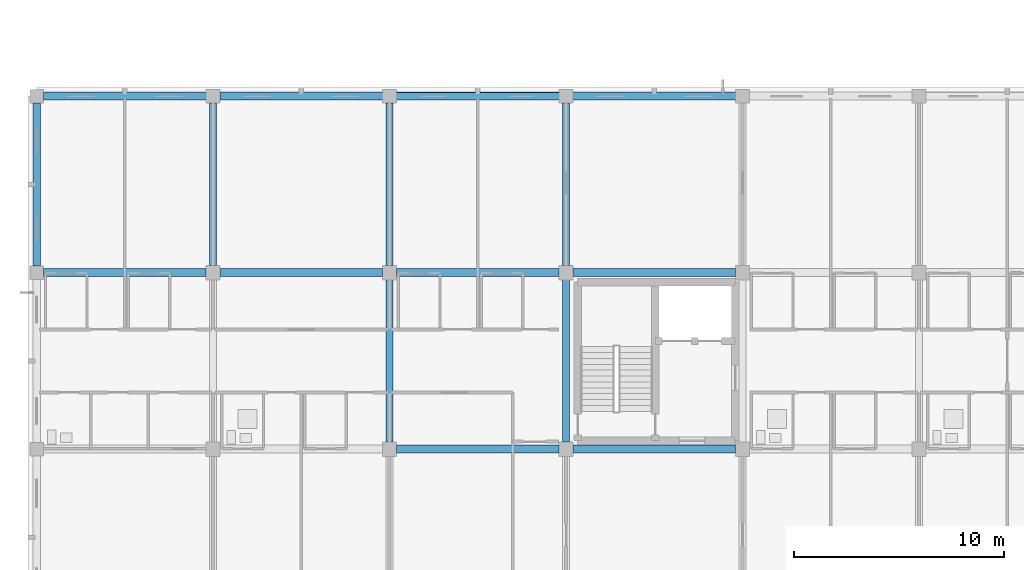
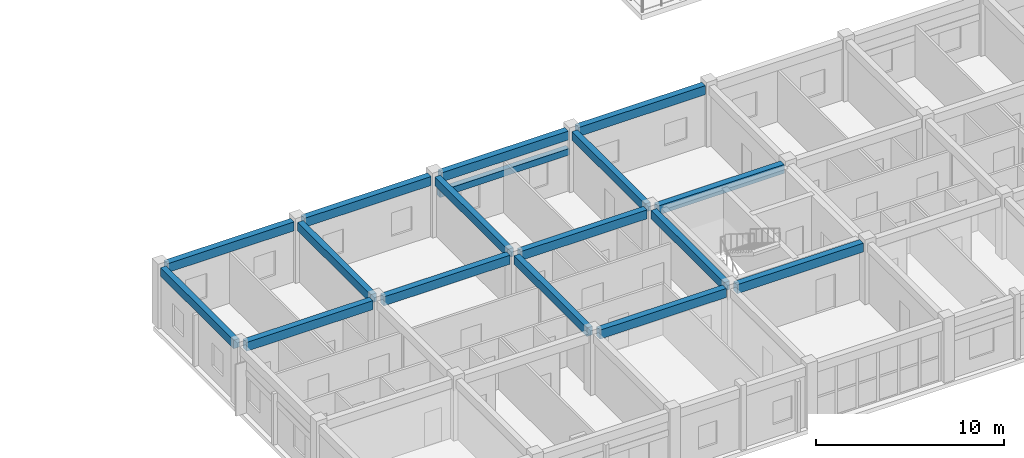
# One storey, part 11 of 90: 17 beams.
"""IFC4 building model written with IfcOpenShell, lengths in metres."""

from ifc_helpers import new_model, si_unit, direction, frame, origin, origin_2d, place, context, subcontext, project, spatial, rectangle, extrude, material, material_profile, profile_set, type_object, element, save


model = new_model("IFC4")

# Units and contexts
model_context = context("Model", 3, precision=1e-05, world=origin(), true_north=direction((0.0, 1.0)))
body_context = subcontext(model_context, "Body", "Model", "MODEL_VIEW")
ifc_project = project(units=[si_unit("LENGTHUNIT", "METRE"), si_unit("AREAUNIT", "SQUARE_METRE"), si_unit("VOLUMEUNIT", "CUBIC_METRE"), si_unit("PLANEANGLEUNIT", "RADIAN"), si_unit("MASSUNIT", "GRAM", prefix="KILO")], contexts=[model_context])

# Site, building, storey
site_placement = place(None, origin())
site = spatial("IfcSite", under=ifc_project, at=site_placement, CompositionType="ELEMENT")
building_placement = place(site_placement, origin())
building = spatial("IfcBuilding", under=site, at=building_placement, Name="Trelvath General Hospital", CompositionType="ELEMENT")
storey_placement = place(building_placement, frame((0.0, 0.0, 20.39990234375)))
storey = spatial("IfcBuildingStorey", under=building, at=storey_placement, Name="L05", CompositionType="ELEMENT", Elevation=20.39990234375)

# Beams
ifc_material_1 = material(Name="Concrete C35/45", Category="concrete")
ifc_material_profile_1 = material_profile(ifc_material_1, rectangle(XDim=0.35009765625, YDim=0.550048828125, at=origin_2d()), Name="RCB350x550")
ifc_profile_set_1 = profile_set([ifc_material_profile_1], Name="Concrete C35/45")
beam_type_1 = type_object("IfcBeamType", Name="Beam RC350x550", PredefinedType="BEAM", material=ifc_profile_set_1)
beam_1_placement = place(storey_placement, frame((16.800048828125, 17.1201171875, 3.64501953125), z_axis=(0.0, 1.0, 0.0), x_axis=(-1.0, 0.0, 0.0)))
element("IfcBeam", 1, at=beam_1_placement, inside=storey, type_object=beam_type_1, Name="Grid Beam BY-502C", PredefinedType="BEAM", context=body_context, shape_type="SweptSolid", body=[
    extrude(rectangle(XDim=0.35009765625, YDim=0.550048828125, at=origin_2d()), origin(), (0.0, 0.0, 1.0), 7.759765625),
])
beam_2_placement = place(storey_placement, frame((25.199951171875, 17.135009765625, 3.64501953125), z_axis=(0.0, 1.0, 0.0), x_axis=(-1.0, 0.0, 0.0)))
element("IfcBeam", 2, at=beam_2_placement, inside=storey, type_object=beam_type_1, Name="Grid Beam BY-503C", PredefinedType="BEAM", context=body_context, shape_type="SweptSolid", body=[
    extrude(rectangle(XDim=0.35009765625, YDim=0.550048828125, at=origin_2d()), origin(), (0.0, 0.0, 1.0), 7.744873046875),
])
beam_3_placement = place(storey_placement, frame((33.60009765625, 8.735107421875, 3.64501953125), z_axis=(0.0, 1.0, 0.0), x_axis=(-1.0, 0.0, 0.0)))
element("IfcBeam", 3, at=beam_3_placement, inside=storey, type_object=beam_type_1, Name="Grid Beam BY-504B", PredefinedType="BEAM", context=body_context, shape_type="SweptSolid", body=[
    extrude(rectangle(XDim=0.35009765625, YDim=0.550048828125, at=origin_2d()), origin(), (0.0, 0.0, 1.0), 7.72998046875),
])
beam_4_placement = place(storey_placement, frame((33.60009765625, 17.135009765625, 3.64501953125), z_axis=(0.0, 1.0, 0.0), x_axis=(-1.0, 0.0, 0.0)))
element("IfcBeam", 4, at=beam_4_placement, inside=storey, type_object=beam_type_1, Name="Grid Beam BY-504C", PredefinedType="BEAM", context=body_context, shape_type="SweptSolid", body=[
    extrude(rectangle(XDim=0.35009765625, YDim=0.550048828125, at=origin_2d()), origin(), (0.0, 0.0, 1.0), 7.744873046875),
])
beam_5_placement = place(storey_placement, frame((42.0, 8.735107421875, 3.64501953125), z_axis=(0.0, 1.0, 0.0), x_axis=(-1.0, 0.0, 0.0)))
element("IfcBeam", 5, at=beam_5_placement, inside=storey, type_object=beam_type_1, Name="Grid Beam BY-505B", PredefinedType="BEAM", context=body_context, shape_type="SweptSolid", body=[
    extrude(rectangle(XDim=0.35009765625, YDim=0.550048828125, at=origin_2d()), origin(), (0.0, 0.0, 1.0), 7.72998046875),
])
beam_6_placement = place(storey_placement, frame((42.0, 17.135009765625, 3.64501953125), z_axis=(0.0, 1.0, 0.0), x_axis=(-1.0, 0.0, 0.0)))
element("IfcBeam", 6, at=beam_6_placement, inside=storey, type_object=beam_type_1, Name="Grid Beam BY-505C", PredefinedType="BEAM", context=body_context, shape_type="SweptSolid", body=[
    extrude(rectangle(XDim=0.35009765625, YDim=0.550048828125, at=origin_2d()), origin(), (0.0, 0.0, 1.0), 7.744873046875),
])
ifc_material_2 = material(Name="Concrete C35/45", Category="concrete")
ifc_material_profile_2 = material_profile(ifc_material_2, rectangle(XDim=0.3798828125, YDim=0.580078125, at=origin_2d()), Name="RCB380x580")
ifc_profile_set_2 = profile_set([ifc_material_profile_2], Name="Concrete C35/45")
beam_type_2 = type_object("IfcBeamType", Name="Beam RC380x580", PredefinedType="BEAM", material=ifc_profile_set_2)
beam_7_placement = place(storey_placement, frame((17.1201171875, 16.800048828125, 3.630126953125), z_axis=(1.0, 0.0, 0.0), x_axis=(0.0, 1.0, 0.0)))
element("IfcBeam", 7, at=beam_7_placement, inside=storey, type_object=beam_type_2, Name="Grid Beam BX-502C", PredefinedType="BEAM", context=body_context, shape_type="SweptSolid", body=[
    extrude(rectangle(XDim=0.3798828125, YDim=0.580078125, at=origin_2d()), origin(), (0.0, 0.0, 1.0), 7.744873046875),
])
beam_8_placement = place(storey_placement, frame((17.1201171875, 25.199951171875, 3.630126953125), z_axis=(1.0, 0.0, 0.0), x_axis=(0.0, 1.0, 0.0)))
element("IfcBeam", 8, at=beam_8_placement, inside=storey, type_object=beam_type_2, Name="Grid Beam BX-502D", PredefinedType="BEAM", context=body_context, shape_type="SweptSolid", body=[
    extrude(rectangle(XDim=0.3798828125, YDim=0.580078125, at=origin_2d()), origin(), (0.0, 0.0, 1.0), 7.759765625),
])
beam_9_placement = place(storey_placement, frame((25.534912109375, 16.800048828125, 3.630126953125), z_axis=(1.0, 0.0, 0.0), x_axis=(0.0, 1.0, 0.0)))
element("IfcBeam", 9, at=beam_9_placement, inside=storey, type_object=beam_type_2, Name="Grid Beam BX-503C", PredefinedType="BEAM", context=body_context, shape_type="SweptSolid", body=[
    extrude(rectangle(XDim=0.3798828125, YDim=0.580078125, at=origin_2d()), origin(), (0.0, 0.0, 1.0), 7.72998046875),
])
beam_10_placement = place(storey_placement, frame((25.52001953125, 25.199951171875, 3.630126953125), z_axis=(1.0, 0.0, 0.0), x_axis=(0.0, 1.0, 0.0)))
element("IfcBeam", 10, at=beam_10_placement, inside=storey, type_object=beam_type_2, Name="Grid Beam BX-503D", PredefinedType="BEAM", context=body_context, shape_type="SweptSolid", body=[
    extrude(rectangle(XDim=0.3798828125, YDim=0.580078125, at=origin_2d()), origin(), (0.0, 0.0, 1.0), 7.760009765625),
])
for number, where, z_axis, x_axis, name in (
    (11, (33.93505859375, 8.39990234375, 3.630126953125), (1.0, 0.0, 0.0), (0.0, 1.0, 0.0), "Grid Beam BX-504B"),
    (12, (33.93505859375, 16.800048828125, 3.630126953125), (1.0, 0.0, 0.0), (0.0, 1.0, 0.0), "Grid Beam BX-504C"),
):
    element("IfcBeam", number, at=place(storey_placement, frame(where, z_axis=z_axis, x_axis=x_axis)), inside=storey, type_object=beam_type_2, Name=name, PredefinedType="BEAM", context=body_context, shape_type="SweptSolid", body=[
        extrude(rectangle(XDim=0.3798828125, YDim=0.580078125, at=origin_2d()), origin(), (0.0, 0.0, 1.0), 7.72998046875),
    ])
beam_11_placement = place(storey_placement, frame((33.919921875, 25.199951171875, 3.630126953125), z_axis=(1.0, 0.0, 0.0), x_axis=(0.0, 1.0, 0.0)))
element("IfcBeam", 13, at=beam_11_placement, inside=storey, type_object=beam_type_2, Name="Grid Beam BX-504D", PredefinedType="BEAM", context=body_context, shape_type="SweptSolid", body=[
    extrude(rectangle(XDim=0.3798828125, YDim=0.580078125, at=origin_2d()), origin(), (0.0, 0.0, 1.0), 7.760009765625),
])
for number, where, z_axis, x_axis, name in (
    (14, (42.3349609375, 8.39990234375, 3.630126953125), (1.0, 0.0, 0.0), (0.0, 1.0, 0.0), "Grid Beam BX-505B"),
    (15, (42.3349609375, 16.800048828125, 3.630126953125), (1.0, 0.0, 0.0), (0.0, 1.0, 0.0), "Grid Beam BX-505C"),
):
    element("IfcBeam", number, at=place(storey_placement, frame(where, z_axis=z_axis, x_axis=x_axis)), inside=storey, type_object=beam_type_2, Name=name, PredefinedType="BEAM", context=body_context, shape_type="SweptSolid", body=[
        extrude(rectangle(XDim=0.3798828125, YDim=0.580078125, at=origin_2d()), origin(), (0.0, 0.0, 1.0), 7.72998046875),
    ])
beam_12_placement = place(storey_placement, frame((42.320068359375, 25.199951171875, 3.630126953125), z_axis=(1.0, 0.0, 0.0), x_axis=(0.0, 1.0, 0.0)))
element("IfcBeam", 16, at=beam_12_placement, inside=storey, type_object=beam_type_2, Name="Grid Beam BX-505D", PredefinedType="BEAM", context=body_context, shape_type="SweptSolid", body=[
    extrude(rectangle(XDim=0.3798828125, YDim=0.580078125, at=origin_2d()), origin(), (0.0, 0.0, 1.0), 7.760009765625),
])
ifc_material_3 = material(Name="Precast concrete C40/50", Category="concrete")
ifc_material_profile_3 = material_profile(ifc_material_3, rectangle(XDim=0.35009765625, YDim=0.419921875, at=origin_2d()), Name="PCL350x420")
ifc_profile_set_3 = profile_set([ifc_material_profile_3], Name="Precast concrete C40/50")
beam_type_3 = type_object("IfcBeamType", Name="Lintel PC350x420", PredefinedType="LINTEL", material=ifc_profile_set_3)
beam_13_placement = place(storey_placement, frame((33.840087890625, 25.199951171875, 2.550048828125), z_axis=(1.0, 0.0, 0.0), x_axis=(0.0, 1.0, 0.0)))
element("IfcBeam", 17, at=beam_13_placement, inside=storey, type_object=beam_type_3, Name="Precast Window Brow Lintel L05-496", PredefinedType="LINTEL", context=body_context, shape_type="SweptSolid", body=[
    extrude(rectangle(XDim=0.35009765625, YDim=0.419921875, at=origin_2d()), origin(), (0.0, 0.0, 1.0), 7.919921875),
])

save(model, "model.ifc")
